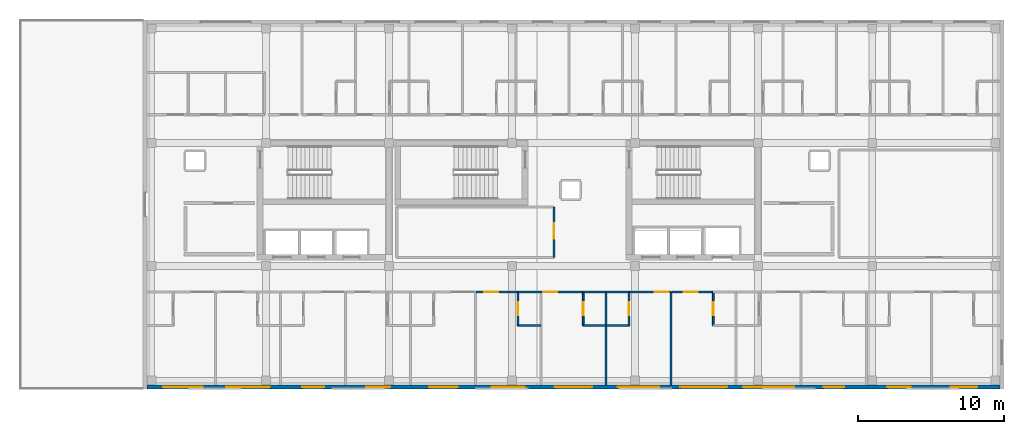
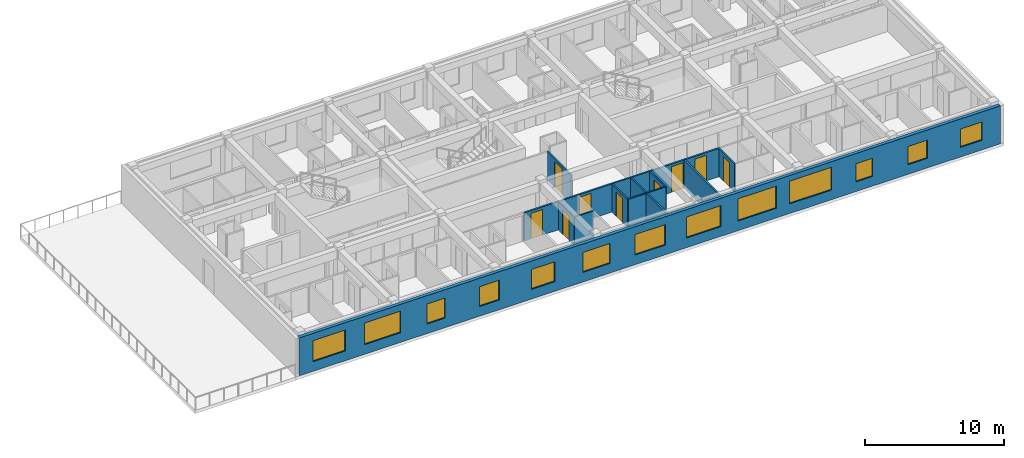
# One storey, part 4 of 10: 18 walls, 13 windows, 9 doors, 22 openings.
"""IFC4 building model written with IfcOpenShell, lengths in metres."""

from ifc_helpers import new_model, si_unit, direction, frame, frame_2d, origin, place, context, subcontext, project, spatial, rectangle, extrude, material, layer, layer_set, type_object, element, fill, save


model = new_model("IFC4")

# Units and contexts
model_context = context("Model", 3, precision=1e-05, world=origin(), true_north=direction((0.0, 1.0)))
body_context = subcontext(model_context, "Body", "Model", "MODEL_VIEW")
ifc_project = project(units=[si_unit("LENGTHUNIT", "METRE"), si_unit("AREAUNIT", "SQUARE_METRE"), si_unit("VOLUMEUNIT", "CUBIC_METRE"), si_unit("PLANEANGLEUNIT", "RADIAN"), si_unit("MASSUNIT", "GRAM", prefix="KILO")], contexts=[model_context])

# Site, building, storey
site_placement = place(None, origin())
site = spatial("IfcSite", under=ifc_project, at=site_placement, CompositionType="ELEMENT")
building_placement = place(site_placement, origin())
building = spatial("IfcBuilding", under=site, at=building_placement, Name="Zayran Congress Hotel", CompositionType="ELEMENT")
storey_placement = place(building_placement, frame((0.0, 0.0, 33.60009765625)))
storey = spatial("IfcBuildingStorey", under=building, at=storey_placement, Name="L08", CompositionType="ELEMENT", Elevation=33.60009765625)

# Wall, openings, windows
ifc_material_1 = material(Name="Hajar Ma'ani limestone cavity wall and concrete C32/40", Category="masonry")
ifc_layer_1 = layer(ifc_material_1, 0.280029296875)
ifc_layer_set_1 = layer_set([ifc_layer_1], Name="Hajar Ma'ani limestone cavity wall and concrete C32/40")
wall_type_1 = type_object("IfcWallType", Name="WL-EX-280", PredefinedType="SOLIDWALL", material=ifc_layer_set_1)
wall_1_placement = place(storey_placement, frame((75.320068359375, 8.93994140625, 0.0), z_axis=(0.0, 0.0, 1.0), x_axis=(-1.0, 0.0, 0.0)))
wall_1 = element("IfcWall", 1, at=wall_1_placement, inside=storey, type_object=wall_type_1, Name="EW-V5-S-L08", PredefinedType="SOLIDWALL", context=body_context, shape_type="SweptSolid", body=[
    extrude(rectangle(XDim=58.239990234375, YDim=0.280029296875, at=frame_2d((29.1201171875, 0.0))), origin(), (0.0, 0.0, 1.0), 3.33984375),
])
opening_1_placement = place(wall_1_placement, frame((54.447021484375, 0.0, 0.85009765625)))
opening_1 = element("IfcOpeningElement", 2, at=opening_1_placement, cuts=wall_1, Name="Opening WN-04", PredefinedType="OPENING", context=body_context, shape_type="SweptSolid", body=[
    extrude(rectangle(XDim=2.699951171875, YDim=1.85009765625, at=frame_2d((1.35009765625, 0.925048828125))), frame((0.0, 0.14990234375, 0.0), z_axis=(0.0, -1.0, 0.0), x_axis=(1.0, 0.0, 0.0)), (0.0, 0.0, 1.0), 0.300048828125),
])
opening_2_placement = place(wall_1_placement, frame((49.85107421875, 0.0, 0.85009765625)))
opening_2 = element("IfcOpeningElement", 3, at=opening_2_placement, cuts=wall_1, Name="Opening WN-05", PredefinedType="OPENING", context=body_context, shape_type="SweptSolid", body=[
    extrude(rectangle(XDim=3.0, YDim=1.89990234375, at=frame_2d((1.5, 0.949951171875))), frame((0.0, 0.14990234375, 0.0), z_axis=(0.0, -1.0, 0.0), x_axis=(1.0, 0.0, 0.0)), (0.0, 0.0, 1.0), 0.300048828125),
])
opening_3_placement = place(wall_1_placement, frame((46.155029296875, 0.0, 0.85009765625)))
opening_3 = element("IfcOpeningElement", 4, at=opening_3_placement, cuts=wall_1, Name="Opening WN-06", PredefinedType="OPENING", context=body_context, shape_type="SweptSolid", body=[
    extrude(rectangle(XDim=1.5, YDim=1.75, at=frame_2d((0.75, 0.875))), frame((0.0, 0.14990234375, 0.0), z_axis=(0.0, -1.0, 0.0), x_axis=(1.0, 0.0, 0.0)), (0.0, 0.0, 1.0), 0.300048828125),
])
opening_4_placement = place(wall_1_placement, frame((41.633056640625, 0.0, 0.85009765625)))
opening_4 = element("IfcOpeningElement", 5, at=opening_4_placement, cuts=wall_1, Name="Opening WN-07", PredefinedType="OPENING", context=body_context, shape_type="SweptSolid", body=[
    extrude(rectangle(XDim=1.64990234375, YDim=1.75, at=frame_2d((0.824951171875, 0.875))), frame((0.0, 0.14990234375, 0.0), z_axis=(0.0, -1.0, 0.0), x_axis=(1.0, 0.0, 0.0)), (0.0, 0.0, 1.0), 0.300048828125),
])
opening_5_placement = place(wall_1_placement, frame((37.037109375, 0.0, 0.85009765625)))
opening_5 = element("IfcOpeningElement", 6, at=opening_5_placement, cuts=wall_1, Name="Opening WN-08", PredefinedType="OPENING", context=body_context, shape_type="SweptSolid", body=[
    extrude(rectangle(XDim=1.949951171875, YDim=1.75, at=frame_2d((0.97509765625, 0.875))), frame((0.0, 0.14990234375, 0.0), z_axis=(0.0, -1.0, 0.0), x_axis=(1.0, 0.0, 0.0)), (0.0, 0.0, 1.0), 0.300048828125),
])
opening_6_placement = place(wall_1_placement, frame((32.44091796875, 0.0, 0.85009765625)))
opening_6 = element("IfcOpeningElement", 7, at=opening_6_placement, cuts=wall_1, Name="Opening WN-09", PredefinedType="OPENING", context=body_context, shape_type="SweptSolid", body=[
    extrude(rectangle(XDim=2.25, YDim=1.75, at=frame_2d((1.125, 0.875))), frame((0.0, 0.14990234375, 0.0), z_axis=(0.0, -1.0, 0.0), x_axis=(1.0, 0.0, 0.0)), (0.0, 0.0, 1.0), 0.300048828125),
])
opening_7_placement = place(wall_1_placement, frame((27.844970703125, 0.0, 0.85009765625)))
opening_7 = element("IfcOpeningElement", 8, at=opening_7_placement, cuts=wall_1, Name="Opening WN-10", PredefinedType="OPENING", context=body_context, shape_type="SweptSolid", body=[
    extrude(rectangle(XDim=2.550048828125, YDim=1.800048828125, at=frame_2d((1.27490234375, 0.89990234375))), frame((0.0, 0.14990234375, 0.0), z_axis=(0.0, -1.0, 0.0), x_axis=(1.0, 0.0, 0.0)), (0.0, 0.0, 1.0), 0.300048828125),
])
opening_8_placement = place(wall_1_placement, frame((23.2490234375, 0.0, 0.85009765625)))
opening_8 = element("IfcOpeningElement", 9, at=opening_8_placement, cuts=wall_1, Name="Opening WN-11", PredefinedType="OPENING", context=body_context, shape_type="SweptSolid", body=[
    extrude(rectangle(XDim=2.85009765625, YDim=1.85009765625, at=frame_2d((1.425048828125, 0.925048828125))), frame((0.0, 0.14990234375, 0.0), z_axis=(0.0, -1.0, 0.0), x_axis=(1.0, 0.0, 0.0)), (0.0, 0.0, 1.0), 0.300048828125),
])
opening_9_placement = place(wall_1_placement, frame((18.6279296875, 0.0, 0.85009765625)))
opening_9 = element("IfcOpeningElement", 10, at=opening_9_placement, cuts=wall_1, Name="Opening WN-12", PredefinedType="OPENING", context=body_context, shape_type="SweptSolid", body=[
    extrude(rectangle(XDim=3.199951171875, YDim=1.949951171875, at=frame_2d((1.60009765625, 0.97509765625))), frame((0.0, 0.14990234375, 0.0), z_axis=(0.0, -1.0, 0.0), x_axis=(1.0, 0.0, 0.0)), (0.0, 0.0, 1.0), 0.300048828125),
])
opening_10_placement = place(wall_1_placement, frame((14.031005859375, 0.0, 0.85009765625)))
opening_10 = element("IfcOpeningElement", 11, at=opening_10_placement, cuts=wall_1, Name="Opening WN-13", PredefinedType="OPENING", context=body_context, shape_type="SweptSolid", body=[
    extrude(rectangle(XDim=3.5, YDim=2.0, at=frame_2d((1.75, 1.0))), frame((0.0, 0.14990234375, 0.0), z_axis=(0.0, -1.0, 0.0), x_axis=(1.0, 0.0, 0.0)), (0.0, 0.0, 1.0), 0.300048828125),
])
opening_11_placement = place(wall_1_placement, frame((10.635009765625, 0.0, 0.85009765625)))
opening_11 = element("IfcOpeningElement", 12, at=opening_11_placement, cuts=wall_1, Name="Opening WN-14", PredefinedType="OPENING", context=body_context, shape_type="SweptSolid", body=[
    extrude(rectangle(XDim=1.39990234375, YDim=1.60009765625, at=frame_2d((0.699951171875, 0.800048828125))), frame((0.0, 0.14990234375, 0.0), z_axis=(0.0, -1.0, 0.0), x_axis=(1.0, 0.0, 0.0)), (0.0, 0.0, 1.0), 0.300048828125),
])
opening_12_placement = place(wall_1_placement, frame((6.089111328125, 0.0, 0.85009765625)))
opening_12 = element("IfcOpeningElement", 13, at=opening_12_placement, cuts=wall_1, Name="Opening WN-15", PredefinedType="OPENING", context=body_context, shape_type="SweptSolid", body=[
    extrude(rectangle(XDim=1.60009765625, YDim=1.60009765625, at=frame_2d((0.800048828125, 0.800048828125))), frame((0.0, 0.14990234375, 0.0), z_axis=(0.0, -1.0, 0.0), x_axis=(1.0, 0.0, 0.0)), (0.0, 0.0, 1.0), 0.300048828125),
])
opening_13_placement = place(wall_1_placement, frame((1.54296875, 0.0, 0.85009765625)))
opening_13 = element("IfcOpeningElement", 14, at=opening_13_placement, cuts=wall_1, Name="Opening WN-16", PredefinedType="OPENING", context=body_context, shape_type="SweptSolid", body=[
    extrude(rectangle(XDim=1.800048828125, YDim=1.60009765625, at=frame_2d((0.89990234375, 0.800048828125))), frame((0.0, 0.14990234375, 0.0), z_axis=(0.0, -1.0, 0.0), x_axis=(1.0, 0.0, 0.0)), (0.0, 0.0, 1.0), 0.300048828125),
])
ifc_material_2 = material(Name="Anodised aluminium and low-E insulated glass", Category="aluminium")
window_type_1 = type_object("IfcWindowType", Name="TP-WN-04", PartitioningType="TRIPLE_PANEL_VERTICAL", PredefinedType="WINDOW", material=ifc_material_2)
window_1_placement = place(opening_1_placement, origin())
window_1 = element("IfcWindow", 15, at=window_1_placement, inside=storey, type_object=window_type_1, Name="WIN-V5S-L08-0390", OverallHeight=1.85009765625, OverallWidth=2.699951171875, PartitioningType="SINGLE_PANEL", PredefinedType="WINDOW", context=body_context, shape_type="SweptSolid", body=[
    extrude(rectangle(XDim=2.699951171875, YDim=1.85009765625, at=frame_2d((1.35009765625, 0.925048828125))), frame((0.0, 0.030029296875, 0.0), z_axis=(0.0, -1.0, 0.0), x_axis=(1.0, 0.0, 0.0)), (0.0, 0.0, 1.0), 0.06005859375),
])
fill(opening_1, window_1)
window_type_2 = type_object("IfcWindowType", Name="TP-WN-05", PartitioningType="TRIPLE_PANEL_VERTICAL", PredefinedType="WINDOW", material=ifc_material_2)
window_2_placement = place(opening_2_placement, origin())
window_2 = element("IfcWindow", 16, at=window_2_placement, inside=storey, type_object=window_type_2, Name="WIN-V5S-L08-0391", OverallHeight=1.89990234375, OverallWidth=3.0, PartitioningType="SINGLE_PANEL", PredefinedType="WINDOW", context=body_context, shape_type="SweptSolid", body=[
    extrude(rectangle(XDim=3.0, YDim=1.89990234375, at=frame_2d((1.5, 0.949951171875))), frame((0.0, 0.030029296875, 0.0), z_axis=(0.0, -1.0, 0.0), x_axis=(1.0, 0.0, 0.0)), (0.0, 0.0, 1.0), 0.06005859375),
])
fill(opening_2, window_2)
window_type_3 = type_object("IfcWindowType", Name="TP-WN-06", PartitioningType="SINGLE_PANEL", PredefinedType="WINDOW", material=ifc_material_2)
window_3_placement = place(opening_3_placement, origin())
window_3 = element("IfcWindow", 17, at=window_3_placement, inside=storey, type_object=window_type_3, Name="WIN-V5S-L08-0392", OverallHeight=1.75, OverallWidth=1.5, PartitioningType="SINGLE_PANEL", PredefinedType="WINDOW", context=body_context, shape_type="SweptSolid", body=[
    extrude(rectangle(XDim=1.5, YDim=1.75, at=frame_2d((0.75, 0.875))), frame((0.0, 0.030029296875, 0.0), z_axis=(0.0, -1.0, 0.0), x_axis=(1.0, 0.0, 0.0)), (0.0, 0.0, 1.0), 0.06005859375),
])
fill(opening_3, window_3)
window_type_4 = type_object("IfcWindowType", Name="TP-WN-07", PartitioningType="SINGLE_PANEL", PredefinedType="WINDOW", material=ifc_material_2)
window_4_placement = place(opening_4_placement, origin())
window_4 = element("IfcWindow", 18, at=window_4_placement, inside=storey, type_object=window_type_4, Name="WIN-V5S-L08-0393", OverallHeight=1.75, OverallWidth=1.64990234375, PartitioningType="SINGLE_PANEL", PredefinedType="WINDOW", context=body_context, shape_type="SweptSolid", body=[
    extrude(rectangle(XDim=1.64990234375, YDim=1.75, at=frame_2d((0.824951171875, 0.875))), frame((0.0, 0.030029296875, 0.0), z_axis=(0.0, -1.0, 0.0), x_axis=(1.0, 0.0, 0.0)), (0.0, 0.0, 1.0), 0.06005859375),
])
fill(opening_4, window_4)
window_type_5 = type_object("IfcWindowType", Name="TP-WN-08", PartitioningType="DOUBLE_PANEL_VERTICAL", PredefinedType="WINDOW", material=ifc_material_2)
window_5_placement = place(opening_5_placement, origin())
window_5 = element("IfcWindow", 19, at=window_5_placement, inside=storey, type_object=window_type_5, Name="WIN-V5S-L08-0394", OverallHeight=1.75, OverallWidth=1.949951171875, PartitioningType="SINGLE_PANEL", PredefinedType="WINDOW", context=body_context, shape_type="SweptSolid", body=[
    extrude(rectangle(XDim=1.949951171875, YDim=1.75, at=frame_2d((0.97509765625, 0.875))), frame((0.0, 0.030029296875, 0.0), z_axis=(0.0, -1.0, 0.0), x_axis=(1.0, 0.0, 0.0)), (0.0, 0.0, 1.0), 0.06005859375),
])
fill(opening_5, window_5)
window_type_6 = type_object("IfcWindowType", Name="TP-WN-09", PartitioningType="DOUBLE_PANEL_VERTICAL", PredefinedType="WINDOW", material=ifc_material_2)
window_6_placement = place(opening_6_placement, origin())
window_6 = element("IfcWindow", 20, at=window_6_placement, inside=storey, type_object=window_type_6, Name="WIN-V5S-L08-0395", OverallHeight=1.75, OverallWidth=2.25, PartitioningType="SINGLE_PANEL", PredefinedType="WINDOW", context=body_context, shape_type="SweptSolid", body=[
    extrude(rectangle(XDim=2.25, YDim=1.75, at=frame_2d((1.125, 0.875))), frame((0.0, 0.030029296875, 0.0), z_axis=(0.0, -1.0, 0.0), x_axis=(1.0, 0.0, 0.0)), (0.0, 0.0, 1.0), 0.06005859375),
])
fill(opening_6, window_6)
window_type_7 = type_object("IfcWindowType", Name="TP-WN-10", PartitioningType="DOUBLE_PANEL_VERTICAL", PredefinedType="WINDOW", material=ifc_material_2)
window_7_placement = place(opening_7_placement, origin())
window_7 = element("IfcWindow", 21, at=window_7_placement, inside=storey, type_object=window_type_7, Name="WIN-V5S-L08-0396", OverallHeight=1.800048828125, OverallWidth=2.550048828125, PartitioningType="SINGLE_PANEL", PredefinedType="WINDOW", context=body_context, shape_type="SweptSolid", body=[
    extrude(rectangle(XDim=2.550048828125, YDim=1.800048828125, at=frame_2d((1.27490234375, 0.89990234375))), frame((0.0, 0.030029296875, 0.0), z_axis=(0.0, -1.0, 0.0), x_axis=(1.0, 0.0, 0.0)), (0.0, 0.0, 1.0), 0.06005859375),
])
fill(opening_7, window_7)
window_type_8 = type_object("IfcWindowType", Name="TP-WN-11", PartitioningType="TRIPLE_PANEL_VERTICAL", PredefinedType="WINDOW", material=ifc_material_2)
window_8_placement = place(opening_8_placement, origin())
window_8 = element("IfcWindow", 22, at=window_8_placement, inside=storey, type_object=window_type_8, Name="WIN-V5S-L08-0397", OverallHeight=1.85009765625, OverallWidth=2.85009765625, PartitioningType="SINGLE_PANEL", PredefinedType="WINDOW", context=body_context, shape_type="SweptSolid", body=[
    extrude(rectangle(XDim=2.85009765625, YDim=1.85009765625, at=frame_2d((1.425048828125, 0.925048828125))), frame((0.0, 0.030029296875, 0.0), z_axis=(0.0, -1.0, 0.0), x_axis=(1.0, 0.0, 0.0)), (0.0, 0.0, 1.0), 0.06005859375),
])
fill(opening_8, window_8)
window_type_9 = type_object("IfcWindowType", Name="TP-WN-12", PartitioningType="TRIPLE_PANEL_VERTICAL", PredefinedType="WINDOW", material=ifc_material_2)
window_9_placement = place(opening_9_placement, origin())
window_9 = element("IfcWindow", 23, at=window_9_placement, inside=storey, type_object=window_type_9, Name="WIN-V5S-L08-0398", OverallHeight=1.949951171875, OverallWidth=3.199951171875, PartitioningType="SINGLE_PANEL", PredefinedType="WINDOW", context=body_context, shape_type="SweptSolid", body=[
    extrude(rectangle(XDim=3.199951171875, YDim=1.949951171875, at=frame_2d((1.60009765625, 0.97509765625))), frame((0.0, 0.030029296875, 0.0), z_axis=(0.0, -1.0, 0.0), x_axis=(1.0, 0.0, 0.0)), (0.0, 0.0, 1.0), 0.06005859375),
])
fill(opening_9, window_9)
window_type_10 = type_object("IfcWindowType", Name="TP-WN-13", PartitioningType="TRIPLE_PANEL_VERTICAL", PredefinedType="WINDOW", material=ifc_material_2)
window_10_placement = place(opening_10_placement, origin())
window_10 = element("IfcWindow", 24, at=window_10_placement, inside=storey, type_object=window_type_10, Name="WIN-V5S-L08-0399", OverallHeight=2.0, OverallWidth=3.5, PartitioningType="SINGLE_PANEL", PredefinedType="WINDOW", context=body_context, shape_type="SweptSolid", body=[
    extrude(rectangle(XDim=3.5, YDim=2.0, at=frame_2d((1.75, 1.0))), frame((0.0, 0.030029296875, 0.0), z_axis=(0.0, -1.0, 0.0), x_axis=(1.0, 0.0, 0.0)), (0.0, 0.0, 1.0), 0.06005859375),
])
fill(opening_10, window_10)
window_type_11 = type_object("IfcWindowType", Name="TP-WN-14", PartitioningType="SINGLE_PANEL", PredefinedType="WINDOW", material=ifc_material_2)
window_11_placement = place(opening_11_placement, origin())
window_11 = element("IfcWindow", 25, at=window_11_placement, inside=storey, type_object=window_type_11, Name="WIN-V5S-L08-0400", OverallHeight=1.60009765625, OverallWidth=1.39990234375, PartitioningType="SINGLE_PANEL", PredefinedType="WINDOW", context=body_context, shape_type="SweptSolid", body=[
    extrude(rectangle(XDim=1.39990234375, YDim=1.60009765625, at=frame_2d((0.699951171875, 0.800048828125))), frame((0.0, 0.030029296875, 0.0), z_axis=(0.0, -1.0, 0.0), x_axis=(1.0, 0.0, 0.0)), (0.0, 0.0, 1.0), 0.06005859375),
])
fill(opening_11, window_11)
window_type_12 = type_object("IfcWindowType", Name="TP-WN-15", PartitioningType="SINGLE_PANEL", PredefinedType="WINDOW", material=ifc_material_2)
window_12_placement = place(opening_12_placement, origin())
window_12 = element("IfcWindow", 26, at=window_12_placement, inside=storey, type_object=window_type_12, Name="WIN-V5S-L08-0401", OverallHeight=1.60009765625, OverallWidth=1.60009765625, PartitioningType="SINGLE_PANEL", PredefinedType="WINDOW", context=body_context, shape_type="SweptSolid", body=[
    extrude(rectangle(XDim=1.60009765625, YDim=1.60009765625, at=frame_2d((0.800048828125, 0.800048828125))), frame((0.0, 0.030029296875, 0.0), z_axis=(0.0, -1.0, 0.0), x_axis=(1.0, 0.0, 0.0)), (0.0, 0.0, 1.0), 0.06005859375),
])
fill(opening_12, window_12)
window_type_13 = type_object("IfcWindowType", Name="TP-WN-16", PartitioningType="DOUBLE_PANEL_VERTICAL", PredefinedType="WINDOW", material=ifc_material_2)
window_13_placement = place(opening_13_placement, origin())
window_13 = element("IfcWindow", 27, at=window_13_placement, inside=storey, type_object=window_type_13, Name="WIN-V5S-L08-0402", OverallHeight=1.60009765625, OverallWidth=1.800048828125, PartitioningType="SINGLE_PANEL", PredefinedType="WINDOW", context=body_context, shape_type="SweptSolid", body=[
    extrude(rectangle(XDim=1.800048828125, YDim=1.60009765625, at=frame_2d((0.89990234375, 0.800048828125))), frame((0.0, 0.030029296875, 0.0), z_axis=(0.0, -1.0, 0.0), x_axis=(1.0, 0.0, 0.0)), (0.0, 0.0, 1.0), 0.06005859375),
])
fill(opening_13, window_13)

# Wall, opening, door
ifc_material_3 = material(Name="Hospitality guestroom acoustic partition", Category="gypsum")
ifc_layer_2 = layer(ifc_material_3, 0.139892578125)
ifc_layer_set_2 = layer_set([ifc_layer_2], Name="Hospitality guestroom acoustic partition")
wall_type_2 = type_object("IfcWallType", Name="WL-PT-140", PredefinedType="PARTITIONING", material=ifc_layer_set_2)
wall_2_placement = place(storey_placement, frame((44.8701171875, 17.77001953125, 0.0), z_axis=(0.0, 0.0, 1.0), x_axis=(0.0, 1.0, 0.0)))
wall_2 = element("IfcWall", 28, at=wall_2_placement, inside=storey, type_object=wall_type_2, Name="IW-L08-0754", PredefinedType="PARTITIONING", context=body_context, shape_type="SweptSolid", body=[
    extrude(rectangle(XDim=3.4599609375, YDim=0.139892578125, at=frame_2d((1.72998046875, 0.0))), origin(), (0.0, 0.0, 1.0), 2.47998046875),
])
opening_14_placement = place(wall_2_placement, frame((1.283935546875, 0.0, 0.0)))
opening_14 = element("IfcOpeningElement", 29, at=opening_14_placement, cuts=wall_2, Name="Opening DR-MT-01", PredefinedType="OPENING", context=body_context, shape_type="SweptSolid", body=[
    extrude(rectangle(XDim=1.080078125, YDim=2.25, at=frame_2d((0.5400390625, 1.125))), frame((0.0, 0.079833984375, 0.0), z_axis=(0.0, -1.0, 0.0), x_axis=(1.0, 0.0, 0.0)), (0.0, 0.0, 1.0), 0.159912109375),
])
ifc_material_4 = material(Name="Acoustic timber seminar room door", Category="wood")
door_type_1 = type_object("IfcDoorType", Name="TP-DR-MT-01", OperationType="NOTDEFINED", PredefinedType="DOOR", material=ifc_material_4)
door_1_placement = place(opening_14_placement, origin())
door_1 = element("IfcDoor", 30, at=door_1_placement, inside=storey, type_object=door_type_1, Name="Hospitality Gallery Lounge L08 Door", OperationType="SINGLE_SWING_RIGHT", OverallHeight=2.25, OverallWidth=1.080078125, PredefinedType="DOOR", context=body_context, shape_type="SweptSolid", body=[
    extrude(rectangle(XDim=1.080078125, YDim=2.25, at=frame_2d((0.5400390625, 1.125))), frame((0.0, 0.02490234375, 0.0), z_axis=(0.0, -1.0, 0.0), x_axis=(1.0, 0.0, 0.0)), (0.0, 0.0, 1.0), 0.050048828125),
])
fill(opening_14, door_1)

wall_3_placement = place(storey_placement, frame((39.541015625, 15.419921875, 0.0), z_axis=(0.0, 0.0, 1.0), x_axis=(1.0, 0.0, 0.0)))
wall_3 = element("IfcWall", 31, at=wall_3_placement, inside=storey, type_object=wall_type_2, Name="IW-L08-0761", PredefinedType="PARTITIONING", context=body_context, shape_type="SweptSolid", body=[
    extrude(rectangle(XDim=2.8720703125, YDim=0.139892578125, at=frame_2d((1.43603515625, 0.0))), origin(), (0.0, 0.0, 1.0), 2.47998046875),
])
opening_15_placement = place(wall_3_placement, frame((0.548095703125, 0.0, 0.0)))
opening_15 = element("IfcOpeningElement", 32, at=opening_15_placement, cuts=wall_3, Name="Opening DR-GR-03", PredefinedType="OPENING", context=body_context, shape_type="SweptSolid", body=[
    extrude(rectangle(XDim=0.9599609375, YDim=2.25, at=frame_2d((0.47998046875, 1.125))), frame((0.0, 0.079833984375, 0.0), z_axis=(0.0, -1.0, 0.0), x_axis=(1.0, 0.0, 0.0)), (0.0, 0.0, 1.0), 0.159912109375),
])
ifc_material_5 = material(Name="Executive walnut veneer entry door", Category="wood")
door_type_2 = type_object("IfcDoorType", Name="TP-DR-GR-03", OperationType="NOTDEFINED", PredefinedType="DOOR", material=ifc_material_5)
door_2_placement = place(opening_15_placement, origin())
door_2 = element("IfcDoor", 33, at=door_2_placement, inside=storey, type_object=door_type_2, Name="Guest Room L08-06 Door", OperationType="SINGLE_SWING_LEFT", OverallHeight=2.25, OverallWidth=0.9599609375, PredefinedType="DOOR", context=body_context, shape_type="SweptSolid", body=[
    extrude(rectangle(XDim=0.9599609375, YDim=2.25, at=frame_2d((0.47998046875, 1.125))), frame((0.0, 0.02490234375, 0.0), z_axis=(0.0, -1.0, 0.0), x_axis=(1.0, 0.0, 0.0)), (0.0, 0.0, 1.0), 0.050048828125),
])
fill(opening_15, door_2)

wall_4_placement = place(storey_placement, frame((43.987060546875, 15.419921875, 0.0), z_axis=(0.0, 0.0, 1.0), x_axis=(1.0, 0.0, 0.0)))
wall_4 = element("IfcWall", 34, at=wall_4_placement, inside=storey, type_object=wall_type_2, Name="IW-L08-0762", PredefinedType="PARTITIONING", context=body_context, shape_type="SweptSolid", body=[
    extrude(rectangle(XDim=2.871826171875, YDim=0.139892578125, at=frame_2d((1.43603515625, 0.0))), origin(), (0.0, 0.0, 1.0), 2.47998046875),
])
opening_16_placement = place(wall_4_placement, frame((0.139892578125, 0.0, 0.0)))
opening_16 = element("IfcOpeningElement", 35, at=opening_16_placement, cuts=wall_4, Name="Opening DR-GR-03", PredefinedType="OPENING", context=body_context, shape_type="SweptSolid", body=[
    extrude(rectangle(XDim=0.9599609375, YDim=2.25, at=frame_2d((0.47998046875, 1.125))), frame((0.0, 0.079833984375, 0.0), z_axis=(0.0, -1.0, 0.0), x_axis=(1.0, 0.0, 0.0)), (0.0, 0.0, 1.0), 0.159912109375),
])
door_3_placement = place(opening_16_placement, origin())
door_3 = element("IfcDoor", 36, at=door_3_placement, inside=storey, type_object=door_type_2, Name="Guest Room L08-07 Door", OperationType="SINGLE_SWING_RIGHT", OverallHeight=2.25, OverallWidth=0.9599609375, PredefinedType="DOOR", context=body_context, shape_type="SweptSolid", body=[
    extrude(rectangle(XDim=0.9599609375, YDim=2.25, at=frame_2d((0.47998046875, 1.125))), frame((0.0, 0.02490234375, 0.0), z_axis=(0.0, -1.0, 0.0), x_axis=(1.0, 0.0, 0.0)), (0.0, 0.0, 1.0), 0.050048828125),
])
fill(opening_16, door_3)

wall_5_placement = place(storey_placement, frame((49.987060546875, 15.419921875, 0.0), z_axis=(0.0, 0.0, 1.0), x_axis=(1.0, 0.0, 0.0)))
wall_5 = element("IfcWall", 37, at=wall_5_placement, inside=storey, type_object=wall_type_2, Name="IW-L08-0763", PredefinedType="PARTITIONING", context=body_context, shape_type="SweptSolid", body=[
    extrude(rectangle(XDim=2.871826171875, YDim=0.139892578125, at=frame_2d((1.43603515625, 0.0))), origin(), (0.0, 0.0, 1.0), 2.47998046875),
])
opening_17_placement = place(wall_5_placement, frame((1.77197265625, 0.0, 0.0)))
opening_17 = element("IfcOpeningElement", 38, at=opening_17_placement, cuts=wall_5, Name="Opening DR-GR-03", PredefinedType="OPENING", context=body_context, shape_type="SweptSolid", body=[
    extrude(rectangle(XDim=0.9599609375, YDim=2.25, at=frame_2d((0.47998046875, 1.125))), frame((0.0, 0.079833984375, 0.0), z_axis=(0.0, -1.0, 0.0), x_axis=(1.0, 0.0, 0.0)), (0.0, 0.0, 1.0), 0.159912109375),
])
door_4_placement = place(opening_17_placement, origin())
door_4 = element("IfcDoor", 39, at=door_4_placement, inside=storey, type_object=door_type_2, Name="Guest Room L08-08 Door", OperationType="SINGLE_SWING_LEFT", OverallHeight=2.25, OverallWidth=0.9599609375, PredefinedType="DOOR", context=body_context, shape_type="SweptSolid", body=[
    extrude(rectangle(XDim=0.9599609375, YDim=2.25, at=frame_2d((0.47998046875, 1.125))), frame((0.0, 0.02490234375, 0.0), z_axis=(0.0, -1.0, 0.0), x_axis=(1.0, 0.0, 0.0)), (0.0, 0.0, 1.0), 0.050048828125),
])
fill(opening_17, door_4)

wall_6_placement = place(storey_placement, frame((52.87890625, 15.419921875, 0.0), z_axis=(0.0, 0.0, 1.0), x_axis=(1.0, 0.0, 0.0)))
wall_6 = element("IfcWall", 40, at=wall_6_placement, inside=storey, type_object=wall_type_2, Name="IW-L08-0764", PredefinedType="PARTITIONING", context=body_context, shape_type="SweptSolid", body=[
    extrude(rectangle(XDim=2.8720703125, YDim=0.139892578125, at=frame_2d((1.43603515625, 0.0))), origin(), (0.0, 0.0, 1.0), 2.47998046875),
])
opening_18_placement = place(wall_6_placement, frame((0.839111328125, 0.0, 0.0)))
opening_18 = element("IfcOpeningElement", 41, at=opening_18_placement, cuts=wall_6, Name="Opening DR-GR-03", PredefinedType="OPENING", context=body_context, shape_type="SweptSolid", body=[
    extrude(rectangle(XDim=0.9599609375, YDim=2.25, at=frame_2d((0.47998046875, 1.125))), frame((0.0, 0.079833984375, 0.0), z_axis=(0.0, -1.0, 0.0), x_axis=(1.0, 0.0, 0.0)), (0.0, 0.0, 1.0), 0.159912109375),
])
door_5_placement = place(opening_18_placement, origin())
door_5 = element("IfcDoor", 42, at=door_5_placement, inside=storey, type_object=door_type_2, Name="Guest Room L08-09 Door", OperationType="SINGLE_SWING_RIGHT", OverallHeight=2.25, OverallWidth=0.9599609375, PredefinedType="DOOR", context=body_context, shape_type="SweptSolid", body=[
    extrude(rectangle(XDim=0.9599609375, YDim=2.25, at=frame_2d((0.47998046875, 1.125))), frame((0.0, 0.02490234375, 0.0), z_axis=(0.0, -1.0, 0.0), x_axis=(1.0, 0.0, 0.0)), (0.0, 0.0, 1.0), 0.050048828125),
])
fill(opening_18, door_5)

# Walls
for number, where, z_axis, x_axis, name in (
    (43, (48.4130859375, 9.080078125, 0.0), (0.0, 0.0, 1.0), (0.0, 1.0, 0.0), "IW-L08-2097"),
    (44, (52.85888671875, 9.080078125, 0.0), (0.0, 0.0, 1.0), (0.0, 1.0, 0.0), "IW-L08-2098"),
):
    element("IfcWall", number, at=place(storey_placement, frame(where, z_axis=z_axis, x_axis=x_axis)), inside=storey, type_object=wall_type_2, Name=name, PredefinedType="PARTITIONING", context=body_context, shape_type="SweptSolid", body=[
        extrude(rectangle(XDim=6.349853515625, YDim=0.139892578125, at=frame_2d((3.1748046875, 0.0))), origin(), (0.0, 0.0, 1.0), 2.47998046875),
    ])

# Wall, opening, door
ifc_material_6 = material(Name="Moisture-resistant bathroom partition", Category="gypsum")
ifc_layer_3 = layer(ifc_material_6, 0.1201171875)
ifc_layer_set_3 = layer_set([ifc_layer_3], Name="Moisture-resistant bathroom partition")
wall_type_3 = type_object("IfcWallType", Name="WL-PT-120", PredefinedType="PARTITIONING", material=ifc_layer_set_3)
wall_7_placement = place(storey_placement, frame((42.4130859375, 13.1201171875, 0.0), z_axis=(0.0, 0.0, 1.0), x_axis=(0.0, 1.0, 0.0)))
wall_7 = element("IfcWall", 45, at=wall_7_placement, inside=storey, type_object=wall_type_3, Name="IW-L08-0250", PredefinedType="PARTITIONING", context=body_context, shape_type="SweptSolid", body=[
    extrude(rectangle(XDim=2.309814453125, YDim=0.1201171875, at=frame_2d((1.15478515625, 0.0))), origin(), (0.0, 0.0, 1.0), 2.47998046875),
])
opening_19_placement = place(wall_7_placement, frame((0.715087890625, 0.0, 0.0)))
opening_19 = element("IfcOpeningElement", 46, at=opening_19_placement, cuts=wall_7, Name="Opening DR-BT-01", PredefinedType="OPENING", context=body_context, shape_type="SweptSolid", body=[
    extrude(rectangle(XDim=0.8798828125, YDim=2.14990234375, at=frame_2d((0.43994140625, 1.074951171875))), frame((0.0, 0.070068359375, 0.0), z_axis=(0.0, -1.0, 0.0), x_axis=(1.0, 0.0, 0.0)), (0.0, 0.0, 1.0), 0.14013671875),
])
ifc_material_7 = material(Name="Moisture-resistant oak en-suite door", Category="wood")
door_type_3 = type_object("IfcDoorType", Name="TP-DR-BT-01", OperationType="NOTDEFINED", PredefinedType="DOOR", material=ifc_material_7)
door_6_placement = place(opening_19_placement, origin())
door_6 = element("IfcDoor", 47, at=door_6_placement, inside=storey, type_object=door_type_3, Name="En-Suite Bathroom L08-06 Door", OperationType="SINGLE_SWING_LEFT", OverallHeight=2.14990234375, OverallWidth=0.8798828125, PredefinedType="DOOR", context=body_context, shape_type="SweptSolid", body=[
    extrude(rectangle(XDim=0.8798828125, YDim=2.14990234375, at=frame_2d((0.43994140625, 1.074951171875))), frame((0.0, 0.02490234375, 0.0), z_axis=(0.0, -1.0, 0.0), x_axis=(1.0, 0.0, 0.0)), (0.0, 0.0, 1.0), 0.050048828125),
])
fill(opening_19, door_6)

wall_8_placement = place(storey_placement, frame((46.85888671875, 13.1201171875, 0.0), z_axis=(0.0, 0.0, 1.0), x_axis=(0.0, 1.0, 0.0)))
wall_8 = element("IfcWall", 48, at=wall_8_placement, inside=storey, type_object=wall_type_3, Name="IW-L08-0251", PredefinedType="PARTITIONING", context=body_context, shape_type="SweptSolid", body=[
    extrude(rectangle(XDim=2.309814453125, YDim=0.1201171875, at=frame_2d((1.15478515625, 0.0))), origin(), (0.0, 0.0, 1.0), 2.47998046875),
])
opening_20_placement = place(wall_8_placement, frame((0.715087890625, 0.0, 0.0)))
opening_20 = element("IfcOpeningElement", 49, at=opening_20_placement, cuts=wall_8, Name="Opening DR-BT-01", PredefinedType="OPENING", context=body_context, shape_type="SweptSolid", body=[
    extrude(rectangle(XDim=0.8798828125, YDim=2.14990234375, at=frame_2d((0.43994140625, 1.074951171875))), frame((0.0, 0.070068359375, 0.0), z_axis=(0.0, -1.0, 0.0), x_axis=(1.0, 0.0, 0.0)), (0.0, 0.0, 1.0), 0.14013671875),
])
door_7_placement = place(opening_20_placement, origin())
door_7 = element("IfcDoor", 50, at=door_7_placement, inside=storey, type_object=door_type_3, Name="En-Suite Bathroom L08-07 Door", OperationType="SINGLE_SWING_RIGHT", OverallHeight=2.14990234375, OverallWidth=0.8798828125, PredefinedType="DOOR", context=body_context, shape_type="SweptSolid", body=[
    extrude(rectangle(XDim=0.8798828125, YDim=2.14990234375, at=frame_2d((0.43994140625, 1.074951171875))), frame((0.0, 0.02490234375, 0.0), z_axis=(0.0, -1.0, 0.0), x_axis=(1.0, 0.0, 0.0)), (0.0, 0.0, 1.0), 0.050048828125),
])
fill(opening_20, door_7)

wall_9_placement = place(storey_placement, frame((49.987060546875, 13.1201171875, 0.0), z_axis=(0.0, 0.0, 1.0), x_axis=(0.0, 1.0, 0.0)))
wall_9 = element("IfcWall", 51, at=wall_9_placement, inside=storey, type_object=wall_type_3, Name="IW-L08-0252", PredefinedType="PARTITIONING", context=body_context, shape_type="SweptSolid", body=[
    extrude(rectangle(XDim=2.309814453125, YDim=0.1201171875, at=frame_2d((1.15478515625, 0.0))), origin(), (0.0, 0.0, 1.0), 2.47998046875),
])
opening_21_placement = place(wall_9_placement, frame((0.715087890625, 0.0, 0.0)))
opening_21 = element("IfcOpeningElement", 52, at=opening_21_placement, cuts=wall_9, Name="Opening DR-BT-01", PredefinedType="OPENING", context=body_context, shape_type="SweptSolid", body=[
    extrude(rectangle(XDim=0.8798828125, YDim=2.14990234375, at=frame_2d((0.43994140625, 1.074951171875))), frame((0.0, 0.070068359375, 0.0), z_axis=(0.0, -1.0, 0.0), x_axis=(1.0, 0.0, 0.0)), (0.0, 0.0, 1.0), 0.14013671875),
])
door_8_placement = place(opening_21_placement, origin())
door_8 = element("IfcDoor", 53, at=door_8_placement, inside=storey, type_object=door_type_3, Name="En-Suite Bathroom L08-08 Door", OperationType="SINGLE_SWING_LEFT", OverallHeight=2.14990234375, OverallWidth=0.8798828125, PredefinedType="DOOR", context=body_context, shape_type="SweptSolid", body=[
    extrude(rectangle(XDim=0.8798828125, YDim=2.14990234375, at=frame_2d((0.43994140625, 1.074951171875))), frame((0.0, 0.02490234375, 0.0), z_axis=(0.0, -1.0, 0.0), x_axis=(1.0, 0.0, 0.0)), (0.0, 0.0, 1.0), 0.050048828125),
])
fill(opening_21, door_8)

wall_10_placement = place(storey_placement, frame((55.7509765625, 13.1201171875, 0.0), z_axis=(0.0, 0.0, 1.0), x_axis=(0.0, 1.0, 0.0)))
wall_10 = element("IfcWall", 54, at=wall_10_placement, inside=storey, type_object=wall_type_3, Name="IW-L08-0253", PredefinedType="PARTITIONING", context=body_context, shape_type="SweptSolid", body=[
    extrude(rectangle(XDim=2.309814453125, YDim=0.1201171875, at=frame_2d((1.15478515625, 0.0))), origin(), (0.0, 0.0, 1.0), 2.47998046875),
])
opening_22_placement = place(wall_10_placement, frame((0.715087890625, 0.0, 0.0)))
opening_22 = element("IfcOpeningElement", 55, at=opening_22_placement, cuts=wall_10, Name="Opening DR-BT-01", PredefinedType="OPENING", context=body_context, shape_type="SweptSolid", body=[
    extrude(rectangle(XDim=0.8798828125, YDim=2.14990234375, at=frame_2d((0.43994140625, 1.074951171875))), frame((0.0, 0.070068359375, 0.0), z_axis=(0.0, -1.0, 0.0), x_axis=(1.0, 0.0, 0.0)), (0.0, 0.0, 1.0), 0.14013671875),
])
door_9_placement = place(opening_22_placement, origin())
door_9 = element("IfcDoor", 56, at=door_9_placement, inside=storey, type_object=door_type_3, Name="En-Suite Bathroom L08-09 Door", OperationType="SINGLE_SWING_RIGHT", OverallHeight=2.14990234375, OverallWidth=0.8798828125, PredefinedType="DOOR", context=body_context, shape_type="SweptSolid", body=[
    extrude(rectangle(XDim=0.8798828125, YDim=2.14990234375, at=frame_2d((0.43994140625, 1.074951171875))), frame((0.0, 0.02490234375, 0.0), z_axis=(0.0, -1.0, 0.0), x_axis=(1.0, 0.0, 0.0)), (0.0, 0.0, 1.0), 0.050048828125),
])
fill(opening_22, door_9)

# Walls
for number, where, z_axis, x_axis, name in (
    (57, (42.403076171875, 13.1298828125, 0.0), (0.0, 0.0, 1.0), (1.0, 0.0, 0.0), "IW-L08-1367"),
    (58, (42.403076171875, 15.419921875, 0.0), (0.0, 0.0, 1.0), (1.0, 0.0, 0.0), "IW-L08-1368"),
    (59, (46.84912109375, 13.1298828125, 0.0), (0.0, 0.0, 1.0), (1.0, 0.0, 0.0), "IW-L08-1369"),
):
    element("IfcWall", number, at=place(storey_placement, frame(where, z_axis=z_axis, x_axis=x_axis)), inside=storey, type_object=wall_type_3, Name=name, PredefinedType="PARTITIONING", context=body_context, shape_type="SweptSolid", body=[
        extrude(rectangle(XDim=1.573974609375, YDim=0.1201171875, at=frame_2d((0.787109375, 0.0))), origin(), (0.0, 0.0, 1.0), 2.47998046875),
    ])
wall_11_placement = place(storey_placement, frame((46.85888671875, 15.419921875, 0.0), z_axis=(0.0, 0.0, 1.0), x_axis=(1.0, 0.0, 0.0)))
element("IfcWall", 60, at=wall_11_placement, inside=storey, type_object=wall_type_3, Name="IW-L08-1370", PredefinedType="PARTITIONING", context=body_context, shape_type="SweptSolid", body=[
    extrude(rectangle(XDim=1.564208984375, YDim=0.1201171875, at=frame_2d((0.7822265625, 0.0))), origin(), (0.0, 0.0, 1.0), 2.47998046875),
])
for number, where, z_axis, x_axis, name in (
    (61, (48.423095703125, 13.1298828125, 0.0), (0.0, 0.0, 1.0), (1.0, 0.0, 0.0), "IW-L08-1371"),
    (62, (48.423095703125, 15.419921875, 0.0), (0.0, 0.0, 1.0), (1.0, 0.0, 0.0), "IW-L08-1372"),
):
    element("IfcWall", number, at=place(storey_placement, frame(where, z_axis=z_axis, x_axis=x_axis)), inside=storey, type_object=wall_type_3, Name=name, PredefinedType="PARTITIONING", context=body_context, shape_type="SweptSolid", body=[
        extrude(rectangle(XDim=1.573974609375, YDim=0.1201171875, at=frame_2d((0.787109375, 0.0))), origin(), (0.0, 0.0, 1.0), 2.47998046875),
    ])

save(model, "model.ifc")
